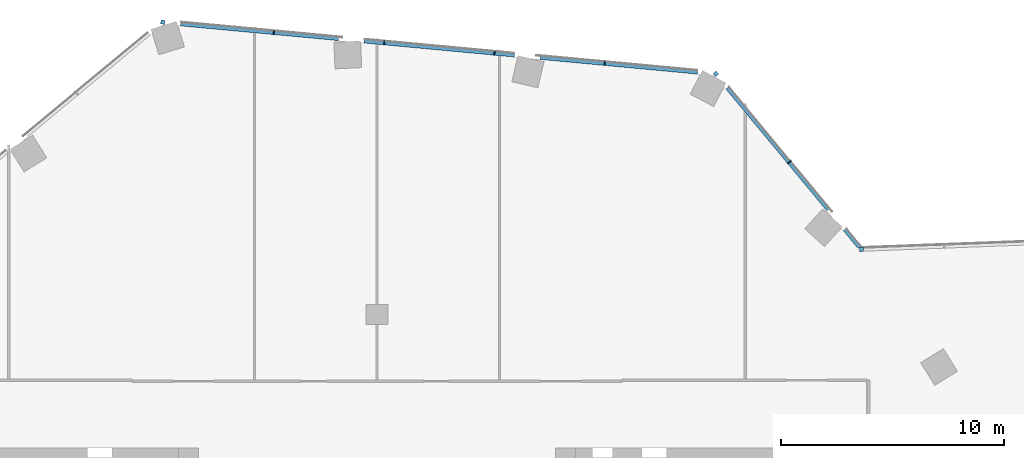
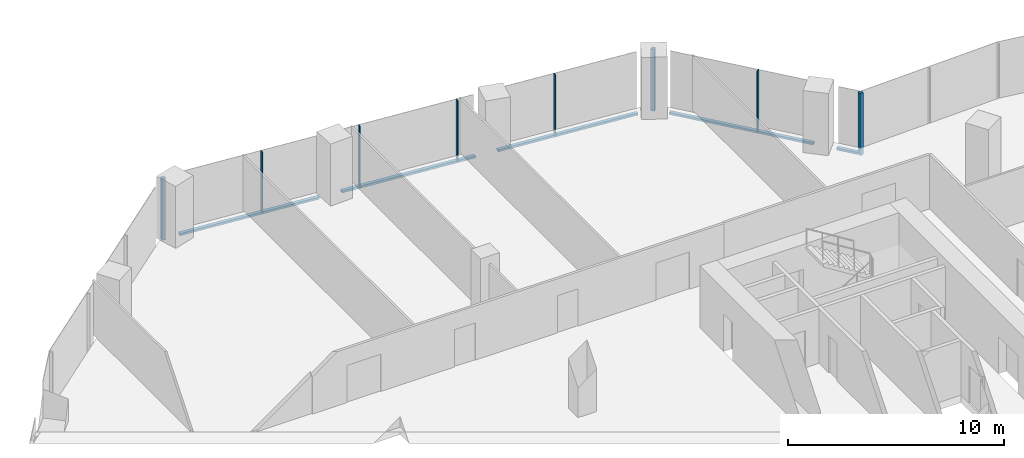
# One storey, part 11 of 24: 13 members, 3 elements without a shape of their own.
"""IFC4 building model written with IfcOpenShell, lengths in metres."""

import ifcopenshell
import ifcopenshell.guid

model = None  # the IFC model being written
_history = None  # IfcOwnerHistory: only IFC2X3 demands one
_inside = {}  # id of a spatial element -> (the spatial element, [elements in it])
_under = {}  # id of a project, library or spatial element -> (it, [spatial elements below it])
_declared = {}  # id of a project -> (the project, [libraries it declares])
_typed = {}  # id of a type object -> (the type object, [elements of that type])
_made_of = {}  # id of a material, layer set ... -> (it, [elements and type objects made of it])


def new_model(schema):
    """Start an empty IFC model of exactly this schema.

    Asked for "IFC4X3", IfcOpenShell would pick the latest addendum, in which some entities
    have other attributes; the version numbers below select the first issue.
    IFC2X3 requires an IfcOwnerHistory on every rooted entity: one is made here for all.
    """
    global model, _history
    if schema == "IFC4X3":
        model = ifcopenshell.file(schema_version=(4, 3, 0, 0))
    else:
        model = ifcopenshell.file(schema=schema)
    _inside.clear()
    _under.clear()
    _declared.clear()
    _typed.clear()
    _made_of.clear()
    _history = None
    if model.schema == "IFC2X3":
        org = make("IfcOrganization", Name="unknown")
        user = make(
            "IfcPersonAndOrganization",
            ThePerson=make("IfcPerson", FamilyName="unknown"),
            TheOrganization=org,
        )
        app = make(
            "IfcApplication",
            ApplicationDeveloper=org,
            Version="unknown",
            ApplicationFullName="unknown",
            ApplicationIdentifier="unknown",
        )
        _history = make(
            "IfcOwnerHistory",
            OwningUser=user,
            OwningApplication=app,
            ChangeAction="ADDED",
            CreationDate=0,
        )
    return model


def make(cls, **values):
    """One entity of the class cls with the attributes given. An attribute that is None is left unset."""
    return model.create_entity(
        cls, **{name: value for name, value in values.items() if value is not None}
    )


def rooted(cls, **values):
    """An entity with a GlobalId (a new one), such as an element, a storey or a relation."""
    return make(cls, GlobalId=ifcopenshell.guid.new(), OwnerHistory=_history, **values)


def si_unit(unit_type, name, prefix=None):
    """IfcSIUnit, for example si_unit("LENGTHUNIT", "METRE", prefix="MILLI")."""
    return make("IfcSIUnit", UnitType=unit_type, Prefix=prefix, Name=name)


def assignment(units):
    """IfcUnitAssignment: the units of a project."""
    return None if units is None else make("IfcUnitAssignment", Units=units)


def point(xyz):
    """IfcCartesianPoint."""
    return None if xyz is None else make("IfcCartesianPoint", Coordinates=xyz)


def direction(xyz):
    """IfcDirection."""
    return None if xyz is None else make("IfcDirection", DirectionRatios=xyz)


def frame(location, z_axis=None, x_axis=None):
    """IfcAxis2Placement3D, a coordinate frame: its origin and axes. An axis left out is left unset."""
    return make(
        "IfcAxis2Placement3D",
        Location=point(location),
        Axis=direction(z_axis),
        RefDirection=direction(x_axis),
    )


def frame_2d(location, x_axis=None):
    """IfcAxis2Placement2D, a coordinate frame in the plane: its origin and x axis."""
    return make(
        "IfcAxis2Placement2D", Location=point(location), RefDirection=direction(x_axis)
    )


def origin():
    """The frame at (0, 0, 0) with its axes left unset."""
    return frame((0.0, 0.0, 0.0))


def origin_2d():
    """The frame at (0, 0) in the plane with its x axis left unset."""
    return frame_2d((0.0, 0.0))


def place(relative_to, where):
    """IfcLocalPlacement: puts the frame where relative to a parent placement (None: the world)."""
    return make(
        "IfcLocalPlacement", PlacementRelTo=relative_to, RelativePlacement=where
    )


def context(
    kind, dimensions, precision=None, world=None, true_north=None, identifier=None
):
    """IfcGeometricRepresentationContext, for example the 3D "Model" context."""
    return make(
        "IfcGeometricRepresentationContext",
        ContextIdentifier=identifier,
        ContextType=kind,
        CoordinateSpaceDimension=dimensions,
        Precision=precision,
        WorldCoordinateSystem=world,
        TrueNorth=true_north,
    )


def subcontext(parent, identifier, kind, view, scale=None):
    """IfcGeometricRepresentationSubContext, for example "Body" below "Model"."""
    return make(
        "IfcGeometricRepresentationSubContext",
        ContextIdentifier=identifier,
        ContextType=kind,
        ParentContext=parent,
        TargetScale=scale,
        TargetView=view,
    )


def project(units=None, contexts=None):
    """IfcProject with its units and contexts."""
    return rooted(
        "IfcProject",
        Name="project",
        RepresentationContexts=contexts,
        UnitsInContext=assignment(units),
    )


def spatial(cls, under=None, at=None, **own):
    """A site, building, storey or space (cls), placed at a placement, below another one or the project."""
    s = rooted(cls, ObjectPlacement=at, **own)
    if under is not None:
        _under.setdefault(under.id(), (under, []))[1].append(s)
    return s


def profile(cls, at=None, kind="AREA", **sizes):
    """A parametric profile (cls). Its sizes go by their IFC names, for example OverallWidth=200.0."""
    return make(cls, ProfileType=kind, Position=at, **sizes)


def rectangle(**sizes):
    """IfcRectangleProfileDef."""
    return profile("IfcRectangleProfileDef", **sizes)


def extrude(swept, where, along, depth):
    """IfcExtrudedAreaSolid: the profile swept, set in the frame where, extruded along a direction by depth."""
    return make(
        "IfcExtrudedAreaSolid",
        SweptArea=swept,
        Position=where,
        ExtrudedDirection=direction(along),
        Depth=depth,
    )


def shape(context_of_items, identifier, shape_type, items):
    """IfcShapeRepresentation: the items that make up one representation, for example the "Body"."""
    return make(
        "IfcShapeRepresentation",
        ContextOfItems=context_of_items,
        RepresentationIdentifier=identifier,
        RepresentationType=shape_type,
        Items=items,
    )


def material(Name=None, Category=None):
    """IfcMaterial."""
    return make("IfcMaterial", Name=Name, Category=Category)


def material_profile(
    of_material, cross_section, Name=None, Category=None, Priority=None
):
    """IfcMaterialProfile: a cross section and its material."""
    return make(
        "IfcMaterialProfile",
        Name=Name,
        Material=of_material,
        Profile=cross_section,
        Priority=Priority,
        Category=Category,
    )


def profile_set(profiles, Name=None, composite=None):
    """IfcMaterialProfileSet."""
    return make(
        "IfcMaterialProfileSet",
        Name=Name,
        MaterialProfiles=profiles,
        CompositeProfile=composite,
    )


def made_of(thing, what):
    """Note that an element or type object is made of a material, layer set ...; save() writes the relation."""
    if what is not None:
        _made_of.setdefault(what.id(), (what, []))[1].append(thing)
    return thing


def type_object(cls, material=None, **own):
    """A type object (cls), such as IfcWallType, which elements share."""
    return made_of(rooted(cls, **own), material)


def element(
    cls,
    number,
    at=None,
    inside=None,
    cuts=None,
    type_object=None,
    material=None,
    context=None,
    identifier="Body",
    shape_type=None,
    held_by="IfcProductDefinitionShape",
    body=None,
    shapes=None,
    **own,
):
    """One element of the class cls, such as IfcWall. Its Tag is "e" and its number.

    at: its placement. inside: the storey or other place that contains it. cuts: it is an
    opening in that element (IfcRelVoidsElement). A single representation is given by context,
    identifier, shape_type and body (its items); several are given by shapes. held_by: the class
    of the entity that holds the representations. save() writes the other relations.
    """
    e = rooted(cls, Tag="e%d" % number, ObjectPlacement=at, **own)
    if body is not None:
        shapes = [shape(context, identifier, shape_type, body)]
    if shapes is not None:
        e.Representation = make(held_by, Representations=shapes)
    if inside is not None:
        _inside.setdefault(inside.id(), (inside, []))[1].append(e)
    if cuts is not None:
        rooted(
            "IfcRelVoidsElement", RelatingBuildingElement=cuts, RelatedOpeningElement=e
        )
    if type_object is not None:
        _typed.setdefault(type_object.id(), (type_object, []))[1].append(e)
    return made_of(e, material)


def aggregate(whole, parts):
    """IfcRelAggregates: a whole, such as a stair, and the parts it consists of."""
    return rooted("IfcRelAggregates", RelatingObject=whole, RelatedObjects=parts)


def save(model, path):
    """Write the relations noted so far, then the file.

    IfcRelAggregates (storeys below a building ...), IfcRelContainedInSpatialStructure (elements
    in a storey), IfcRelDefinesByType, IfcRelAssociatesMaterial and IfcRelDeclares: one each for
    every whole, place, type object, material and project.
    """
    for whole, parts in _under.values():
        aggregate(whole, parts)
    for where, things in _inside.values():
        rooted(
            "IfcRelContainedInSpatialStructure",
            RelatedElements=things,
            RelatingStructure=where,
        )
    for kind, things in _typed.values():
        rooted("IfcRelDefinesByType", RelatedObjects=things, RelatingType=kind)
    for what, things in _made_of.values():
        rooted("IfcRelAssociatesMaterial", RelatedObjects=things, RelatingMaterial=what)
    for by, libraries in _declared.values():
        rooted("IfcRelDeclares", RelatingContext=by, RelatedDefinitions=libraries)
    model.write(path)


model = new_model("IFC4")

# Units and contexts
model_context = context("Model", 3, precision=1e-05, world=origin(), true_north=direction((0.0, 1.0)))
body_context = subcontext(model_context, "Body", "Model", "MODEL_VIEW")
ifc_project = project(units=[si_unit("LENGTHUNIT", "METRE"), si_unit("AREAUNIT", "SQUARE_METRE"), si_unit("VOLUMEUNIT", "CUBIC_METRE"), si_unit("PLANEANGLEUNIT", "RADIAN"), si_unit("MASSUNIT", "GRAM", prefix="KILO")], contexts=[model_context])

# Site, building, storey
site_placement = place(None, origin())
site = spatial("IfcSite", under=ifc_project, at=site_placement, CompositionType="ELEMENT")
building_placement = place(site_placement, origin())
building = spatial("IfcBuilding", under=site, at=building_placement, Name="Orlundy Tower", CompositionType="ELEMENT")
storey_placement = place(building_placement, frame((0.0, 0.0, 170.60009765625)))
storey = spatial("IfcBuildingStorey", under=building, at=storey_placement, Name="L44", CompositionType="ELEMENT", Elevation=170.60009765625)

# Curtain wall, member
ifc_material_1 = material(Name="Aluminium bronze anodised", Category="aluminium")
curtain_wall_type = type_object("IfcCurtainWallType", Name="CW1 wall", PredefinedType="NOTDEFINED", material=ifc_material_1)
curtain_wall_1_placement = place(storey_placement, origin())
curtain_wall_1 = element("IfcCurtainWall", 1, at=curtain_wall_1_placement, inside=storey, type_object=curtain_wall_type, Name="CW1 run 04", PredefinedType="NOTDEFINED")
ifc_material_2 = material(Name="Aluminium bronze anodised", Category="aluminium")
ifc_material_profile_1 = material_profile(ifc_material_2, rectangle(XDim=0.179931640625, YDim=0.179931640625, at=origin_2d()), Name="CW1 corner post 180x180")
ifc_profile_set_1 = profile_set([ifc_material_profile_1], Name="Aluminium bronze anodised")
member_type_1 = type_object("IfcMemberType", Name="CW1 corner post 180x180", PredefinedType="MULLION", material=ifc_profile_set_1)
member_1_placement = place(storey_placement, frame((-9.61279296875, 31.1181640625, -0.420166015625), z_axis=(0.0, 0.0, 1.0), x_axis=(0.092948066811, 0.995670958136, 0.0)))
member_1 = element("IfcMember", 2, at=member_1_placement, type_object=member_type_1, Name="CW1 mullion 19", PredefinedType="MULLION", context=body_context, shape_type="SweptSolid", body=[
    extrude(rectangle(XDim=0.179931640625, YDim=0.179931640625, at=origin_2d()), origin(), (0.0, 0.0, 1.0), 3.5),
])

curtain_wall_2_placement = place(storey_placement, origin())
curtain_wall_2 = element("IfcCurtainWall", 3, at=curtain_wall_2_placement, inside=storey, type_object=curtain_wall_type, Name="CW1 run 05", PredefinedType="NOTDEFINED")
member_2_placement = place(storey_placement, frame((15.20654296875, 28.801025390625, -0.420166015625), z_axis=(0.0, 0.0, 1.0), x_axis=(0.769788399055, 0.638299162368, 0.0)))
member_2 = element("IfcMember", 4, at=member_2_placement, type_object=member_type_1, Name="CW1 mullion 24", PredefinedType="MULLION", context=body_context, shape_type="SweptSolid", body=[
    extrude(rectangle(XDim=0.179931640625, YDim=0.179931640625, at=origin_2d()), origin(), (0.0, 0.0, 1.0), 3.5),
])

curtain_wall_3_placement = place(storey_placement, origin())
curtain_wall_3 = element("IfcCurtainWall", 5, at=curtain_wall_3_placement, inside=storey, type_object=curtain_wall_type, Name="CW1 run 06", PredefinedType="NOTDEFINED")
member_3_placement = place(storey_placement, frame((21.73583984375, 20.926513671875, -0.420166015625), z_axis=(0.0, 0.0, 1.0), x_axis=(-0.037836578056, 0.99928394031, 0.0)))
member_3 = element("IfcMember", 6, at=member_3_placement, type_object=member_type_1, Name="CW1 mullion 26", PredefinedType="MULLION", context=body_context, shape_type="SweptSolid", body=[
    extrude(rectangle(XDim=0.179931640625, YDim=0.179931640625, at=origin_2d()), origin(), (0.0, 0.0, 1.0), 3.5),
])
aggregate(curtain_wall_3, [member_3])

# Member
ifc_material_3 = material(Name="Aluminium bronze anodised", Category="aluminium")
ifc_material_profile_2 = material_profile(ifc_material_3, rectangle(XDim=0.179931640625, YDim=0.050048828125, at=origin_2d()), Name="CW1 mullion 50x180")
ifc_profile_set_2 = profile_set([ifc_material_profile_2], Name="Aluminium bronze anodised")
member_type_2 = type_object("IfcMemberType", Name="CW1 mullion 50x180", PredefinedType="MULLION", material=ifc_profile_set_2)
member_4_placement = place(storey_placement, frame((-4.626708984375, 30.652587890625, -0.420166015625), z_axis=(0.0, 0.0, 1.0), x_axis=(0.092948066811, 0.995670958136, 0.0)))
member_4 = element("IfcMember", 7, at=member_4_placement, type_object=member_type_2, Name="CW1 mullion 20", PredefinedType="MULLION", context=body_context, shape_type="SweptSolid", body=[
    extrude(rectangle(XDim=0.179931640625, YDim=0.050048828125, at=origin_2d()), origin(), (0.0, 0.0, 1.0), 3.5),
])

member_5_placement = place(storey_placement, frame((0.322265625, 30.190673828125, -0.420166015625), z_axis=(0.0, 0.0, 1.0), x_axis=(0.092948066811, 0.995670958136, 0.0)))
member_5 = element("IfcMember", 8, at=member_5_placement, type_object=member_type_2, Name="CW1 mullion 21", PredefinedType="MULLION", context=body_context, shape_type="SweptSolid", body=[
    extrude(rectangle(XDim=0.179931640625, YDim=0.050048828125, at=origin_2d()), origin(), (0.0, 0.0, 1.0), 3.5),
])

member_6_placement = place(storey_placement, frame((5.271484375, 29.728515625, -0.420166015625), z_axis=(0.0, 0.0, 1.0), x_axis=(0.092948066811, 0.995670958136, 0.0)))
member_6 = element("IfcMember", 9, at=member_6_placement, type_object=member_type_2, Name="CW1 mullion 22", PredefinedType="MULLION", context=body_context, shape_type="SweptSolid", body=[
    extrude(rectangle(XDim=0.179931640625, YDim=0.050048828125, at=origin_2d()), origin(), (0.0, 0.0, 1.0), 3.5),
])

member_7_placement = place(storey_placement, frame((10.220458984375, 29.2666015625, -0.420166015625), z_axis=(0.0, 0.0, 1.0), x_axis=(0.092948066811, 0.995670958136, 0.0)))
member_7 = element("IfcMember", 10, at=member_7_placement, type_object=member_type_2, Name="CW1 mullion 23", PredefinedType="MULLION", context=body_context, shape_type="SweptSolid", body=[
    extrude(rectangle(XDim=0.179931640625, YDim=0.050048828125, at=origin_2d()), origin(), (0.0, 0.0, 1.0), 3.5),
])

member_8_placement = place(storey_placement, frame((18.497314453125, 24.83251953125, -0.420166015625), z_axis=(0.0, 0.0, 1.0), x_axis=(0.769788399055, 0.638299162368, 0.0)))
member_8 = element("IfcMember", 11, at=member_8_placement, type_object=member_type_2, Name="CW1 mullion 25", PredefinedType="MULLION", context=body_context, shape_type="SweptSolid", body=[
    extrude(rectangle(XDim=0.179931640625, YDim=0.050048828125, at=origin_2d()), origin(), (0.0, 0.0, 1.0), 3.5),
])

ifc_material_4 = material(Name="Aluminium bronze anodised", Category="aluminium")
ifc_material_profile_3 = material_profile(ifc_material_4, rectangle(XDim=0.179931640625, YDim=0.1201171875, at=origin_2d()), Name="CW1 transom 180x120")
ifc_profile_set_3 = profile_set([ifc_material_profile_3], Name="Aluminium bronze anodised")
member_type_3 = type_object("IfcMemberType", Name="CW1 transom 180x120", PredefinedType="USERDEFINED", material=ifc_profile_set_3)
member_9_placement = place(storey_placement, frame((-8.803955078125, 31.04248046875, -0.360107421875), z_axis=(0.99567116953, -0.092945802311, 0.0), x_axis=(0.092945802311, 0.99567116953, 0.0)))
member_9 = element("IfcMember", 12, at=member_9_placement, type_object=member_type_3, Name="CW1 transom", ObjectType="TRANSOM", PredefinedType="USERDEFINED", context=body_context, shape_type="SweptSolid", body=[
    extrude(rectangle(XDim=0.179931640625, YDim=0.1201171875, at=origin_2d()), origin(), (0.0, 0.0, 1.0), 7.105224609375),
])

member_10_placement = place(storey_placement, frame((-0.5859375, 30.275390625, -0.360107421875), z_axis=(0.995670257295, -0.092955574003, 0.0), x_axis=(0.092955574003, 0.995670257295, 0.0)))
member_10 = element("IfcMember", 13, at=member_10_placement, type_object=member_type_3, Name="CW1 transom", ObjectType="TRANSOM", PredefinedType="USERDEFINED", context=body_context, shape_type="SweptSolid", body=[
    extrude(rectangle(XDim=0.179931640625, YDim=0.1201171875, at=origin_2d()), origin(), (0.0, 0.0, 1.0), 6.79443359375),
])

member_11_placement = place(storey_placement, frame((7.31982421875, 29.537353515625, -0.360107421875), z_axis=(0.995672738099, -0.092928997665, 0.0), x_axis=(0.092928997665, 0.995672738099, 0.0)))
member_11 = element("IfcMember", 14, at=member_11_placement, type_object=member_type_3, Name="CW1 transom", ObjectType="TRANSOM", PredefinedType="USERDEFINED", context=body_context, shape_type="SweptSolid", body=[
    extrude(rectangle(XDim=0.179931640625, YDim=0.1201171875, at=origin_2d()), origin(), (0.0, 0.0, 1.0), 7.109130859375),
])

aggregate(curtain_wall_1, [member_1, member_4, member_5, member_6, member_7, member_9, member_10, member_11])

member_12_placement = place(storey_placement, frame((15.724609375, 28.17626953125, -0.360107421875), z_axis=(0.638307072863, -0.769781839701, 0.0), x_axis=(0.769781839701, 0.638307072863, 0.0)))
member_12 = element("IfcMember", 15, at=member_12_placement, type_object=member_type_3, Name="CW1 transom", ObjectType="TRANSOM", PredefinedType="USERDEFINED", context=body_context, shape_type="SweptSolid", body=[
    extrude(rectangle(XDim=0.179931640625, YDim=0.1201171875, at=origin_2d()), origin(), (0.0, 0.0, 1.0), 7.1064453125),
])

member_13_placement = place(storey_placement, frame((20.99365234375, 21.822021484375, -0.360107421875), z_axis=(0.638214854894, -0.769858297995, 0.0), x_axis=(0.769858297995, 0.638214854894, 0.0)))
member_13 = element("IfcMember", 16, at=member_13_placement, type_object=member_type_3, Name="CW1 transom", ObjectType="TRANSOM", PredefinedType="USERDEFINED", context=body_context, shape_type="SweptSolid", body=[
    extrude(rectangle(XDim=0.179931640625, YDim=0.1201171875, at=origin_2d()), origin(), (0.0, 0.0, 1.0), 1.049560546875),
])

aggregate(curtain_wall_2, [member_2, member_8, member_12, member_13])

save(model, "model.ifc")
